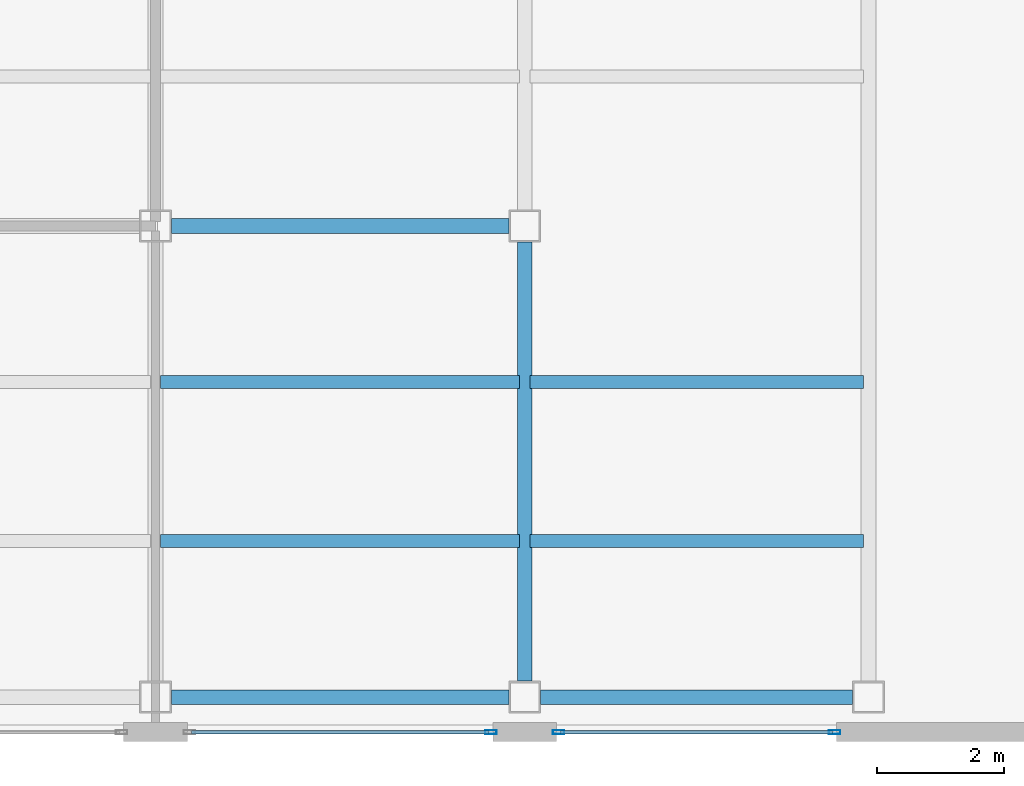
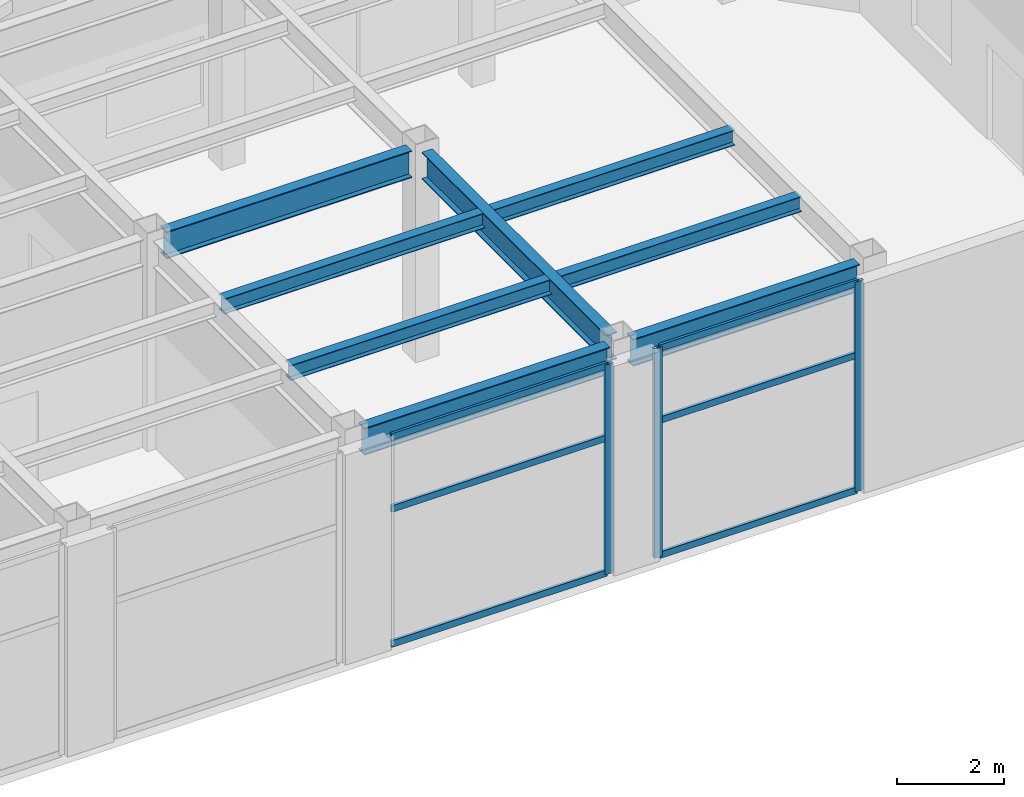
# One storey, part 8 of 23: 9 members, 8 beams, 2 elements without a shape of their own.
"""IFC4 building model written with IfcOpenShell, lengths in metres."""

from ifc_helpers import new_model, si_unit, direction, frame, origin, origin_2d, place, context, subcontext, project, spatial, hollow_rectangle, i_section, extrude, material, layer, layer_set, material_profile, profile_set, type_object, element, aggregate, save


model = new_model("IFC4")

# Units and contexts
model_context = context("Model", 3, precision=1e-05, world=origin(), true_north=direction((0.0, 1.0)))
body_context = subcontext(model_context, "Body", "Model", "MODEL_VIEW")
ifc_project = project(units=[si_unit("LENGTHUNIT", "METRE"), si_unit("AREAUNIT", "SQUARE_METRE"), si_unit("VOLUMEUNIT", "CUBIC_METRE"), si_unit("PLANEANGLEUNIT", "RADIAN"), si_unit("MASSUNIT", "GRAM", prefix="KILO")], contexts=[model_context])

# Site, building, storey
site_placement = place(None, origin())
site = spatial("IfcSite", under=ifc_project, at=site_placement, CompositionType="ELEMENT")
building_placement = place(site_placement, origin())
building = spatial("IfcBuilding", under=site, at=building_placement, Name="Mawjaban Terraces University", CompositionType="ELEMENT")
storey_placement = place(building_placement, frame((0.0, 0.0, 98.39990234375)))
storey = spatial("IfcBuildingStorey", under=building, at=storey_placement, Name="L23", CompositionType="ELEMENT", Elevation=98.39990234375)

# Beams
ifc_material_1 = material(Name="Steel ASTM A572 Grade 50", Category="steel")
ifc_material_profile_1 = material_profile(ifc_material_1, i_section(OverallWidth=0.22998046875, OverallDepth=0.616943359375, WebThickness=0.01318359375, FlangeThickness=0.022216796875, at=origin_2d()), Name="W610X140")
ifc_profile_set_1 = profile_set([ifc_material_profile_1], Name="Steel ASTM A572 Grade 50")
beam_type_1 = type_object("IfcBeamType", Name="Beam_B_W610X140", PredefinedType="BEAM", material=ifc_profile_set_1)
beam_1_placement = place(storey_placement, frame((52.25, 0.550048828125, 4.482177734375), z_axis=(1.0, 0.0, 0.0), x_axis=(0.0, 1.0, 0.0)))
element("IfcBeam", 1, at=beam_1_placement, inside=storey, type_object=beam_type_1, Name="L23 Beam BM-L23-EW-03", PredefinedType="BEAM", context=body_context, shape_type="SweptSolid", body=[
    extrude(i_section(OverallWidth=0.22998046875, OverallDepth=0.616943359375, WebThickness=0.01318359375, FlangeThickness=0.022216796875, at=origin_2d()), origin(), (0.0, 0.0, 1.0), 5.300048828125),
])
beam_2_placement = place(storey_placement, frame((58.050048828125, 0.550048828125, 4.482177734375), z_axis=(1.0, 0.0, 0.0), x_axis=(0.0, 1.0, 0.0)))
element("IfcBeam", 2, at=beam_2_placement, inside=storey, type_object=beam_type_1, Name="L23 Beam BM-L23-EW-04", PredefinedType="BEAM", context=body_context, shape_type="SweptSolid", body=[
    extrude(i_section(OverallWidth=0.22998046875, OverallDepth=0.616943359375, WebThickness=0.01318359375, FlangeThickness=0.022216796875, at=origin_2d()), origin(), (0.0, 0.0, 1.0), 4.89990234375),
])
beam_3_placement = place(storey_placement, frame((52.25, 7.949951171875, 4.482177734375), z_axis=(1.0, 0.0, 0.0), x_axis=(0.0, 1.0, 0.0)))
element("IfcBeam", 3, at=beam_3_placement, inside=storey, type_object=beam_type_1, Name="L23 Beam BM-L23-EW-07", PredefinedType="BEAM", context=body_context, shape_type="SweptSolid", body=[
    extrude(i_section(OverallWidth=0.22998046875, OverallDepth=0.616943359375, WebThickness=0.01318359375, FlangeThickness=0.022216796875, at=origin_2d()), origin(), (0.0, 0.0, 1.0), 5.300048828125),
])
beam_4_placement = place(storey_placement, frame((57.800048828125, 0.800048828125, 4.482177734375), z_axis=(0.0, 1.0, 0.0), x_axis=(-1.0, 0.0, 0.0)))
element("IfcBeam", 4, at=beam_4_placement, inside=storey, type_object=beam_type_1, Name="L23 Beam BM-L23-NS-16", PredefinedType="BEAM", context=body_context, shape_type="SweptSolid", body=[
    extrude(i_section(OverallWidth=0.22998046875, OverallDepth=0.616943359375, WebThickness=0.01318359375, FlangeThickness=0.022216796875, at=origin_2d()), origin(), (0.0, 0.0, 1.0), 6.89990234375),
])
ifc_material_profile_2 = material_profile(ifc_material_1, i_section(OverallWidth=0.202880859375, OverallDepth=0.346923828125, WebThickness=0.0078125, FlangeThickness=0.013427734375, at=origin_2d()), Name="W360X64")
ifc_profile_set_2 = profile_set([ifc_material_profile_2], Name="Steel ASTM A572 Grade 50")
beam_type_2 = type_object("IfcBeamType", Name="Beam_J_W360X64", PredefinedType="JOIST", material=ifc_profile_set_2)
beam_5_placement = place(storey_placement, frame((52.080078125, 3.0, 4.6162109375), z_axis=(1.0, 0.0, 0.0), x_axis=(0.0, 1.0, 0.0)))
element("IfcBeam", 5, at=beam_5_placement, inside=storey, type_object=beam_type_2, Name="L23 Composite Joist JST-L23-03", PredefinedType="JOIST", context=body_context, shape_type="SweptSolid", body=[
    extrude(i_section(OverallWidth=0.202880859375, OverallDepth=0.346923828125, WebThickness=0.0078125, FlangeThickness=0.013427734375, at=origin_2d()), origin(), (0.0, 0.0, 1.0), 5.639892578125),
])
beam_6_placement = place(storey_placement, frame((57.8798828125, 3.0, 4.6162109375), z_axis=(1.0, 0.0, 0.0), x_axis=(0.0, 1.0, 0.0)))
element("IfcBeam", 6, at=beam_6_placement, inside=storey, type_object=beam_type_2, Name="L23 Composite Joist JST-L23-04", PredefinedType="JOIST", context=body_context, shape_type="SweptSolid", body=[
    extrude(i_section(OverallWidth=0.202880859375, OverallDepth=0.346923828125, WebThickness=0.0078125, FlangeThickness=0.013427734375, at=origin_2d()), origin(), (0.0, 0.0, 1.0), 5.240234375),
])
beam_7_placement = place(storey_placement, frame((52.080078125, 5.5, 4.6162109375), z_axis=(1.0, 0.0, 0.0), x_axis=(0.0, 1.0, 0.0)))
element("IfcBeam", 7, at=beam_7_placement, inside=storey, type_object=beam_type_2, Name="L23 Composite Joist JST-L23-07", PredefinedType="JOIST", context=body_context, shape_type="SweptSolid", body=[
    extrude(i_section(OverallWidth=0.202880859375, OverallDepth=0.346923828125, WebThickness=0.0078125, FlangeThickness=0.013427734375, at=origin_2d()), origin(), (0.0, 0.0, 1.0), 5.639892578125),
])
beam_8_placement = place(storey_placement, frame((57.8798828125, 5.5, 4.6162109375), z_axis=(1.0, 0.0, 0.0), x_axis=(0.0, 1.0, 0.0)))
element("IfcBeam", 8, at=beam_8_placement, inside=storey, type_object=beam_type_2, Name="L23 Composite Joist JST-L23-08", PredefinedType="JOIST", context=body_context, shape_type="SweptSolid", body=[
    extrude(i_section(OverallWidth=0.202880859375, OverallDepth=0.346923828125, WebThickness=0.0078125, FlangeThickness=0.013427734375, at=origin_2d()), origin(), (0.0, 0.0, 1.0), 5.240234375),
])

# Curtain wall, member
ifc_material_2 = material(Name="Anodised aluminium 6063-T6 and solar-control low-E glass", Category="aluminium")
ifc_layer = layer(ifc_material_2, 0.18994140625)
ifc_layer_set = layer_set([ifc_layer], Name="Anodised aluminium 6063-T6 and solar-control low-E glass")
curtain_wall_type = type_object("IfcCurtainWallType", Name="CWSystem_05_SkyLobby", PredefinedType="NOTDEFINED", material=ifc_layer_set)
curtain_wall_1_placement = place(storey_placement, origin())
curtain_wall_1 = element("IfcCurtainWall", 9, at=curtain_wall_1_placement, inside=storey, type_object=curtain_wall_type, Name="L23 Curtain Wall CW-05 Run 1.4", PredefinedType="NOTDEFINED")
ifc_material_3 = material(Name="Anodised aluminium 6063-T6", Category="aluminium")
ifc_material_profile_3 = material_profile(ifc_material_3, hollow_rectangle(XDim=0.06494140625, YDim=0.179931640625, WallThickness=0.00390625, at=origin_2d()), Name="ALU180X65X4")
ifc_profile_set_3 = profile_set([ifc_material_profile_3], Name="Anodised aluminium 6063-T6")
member_type_1 = type_object("IfcMemberType", Name="Mullion_CW-05", PredefinedType="MULLION", material=ifc_profile_set_3)
member_1_placement = place(storey_placement, frame((57.267578125, 0.0, 0.0), z_axis=(0.0, 0.0, 1.0), x_axis=(0.0, 1.0, 0.0)))
member_1 = element("IfcMember", 10, at=member_1_placement, type_object=member_type_1, Name="CW-05 mullion 2", PredefinedType="MULLION", context=body_context, shape_type="SweptSolid", body=[
    extrude(hollow_rectangle(XDim=0.06494140625, YDim=0.179931640625, WallThickness=0.00390625, at=origin_2d()), origin(), (0.0, 0.0, 1.0), 4.7900390625),
])

# Curtain wall, members
curtain_wall_2_placement = place(storey_placement, origin())
curtain_wall_2 = element("IfcCurtainWall", 11, at=curtain_wall_2_placement, inside=storey, type_object=curtain_wall_type, Name="L23 Curtain Wall CW-05 Run 1.5", PredefinedType="NOTDEFINED")
member_2_placement = place(storey_placement, frame((58.33251953125, 0.0, 0.0), z_axis=(0.0, 0.0, 1.0), x_axis=(0.0, 1.0, 0.0)))
member_2 = element("IfcMember", 12, at=member_2_placement, type_object=member_type_1, Name="CW-05 mullion 1", PredefinedType="MULLION", context=body_context, shape_type="SweptSolid", body=[
    extrude(hollow_rectangle(XDim=0.06494140625, YDim=0.179931640625, WallThickness=0.00390625, at=origin_2d()), origin(), (0.0, 0.0, 1.0), 4.7900390625),
])
member_3_placement = place(storey_placement, frame((62.66748046875, 0.0, 0.0), z_axis=(0.0, 0.0, 1.0), x_axis=(0.0, 1.0, 0.0)))
member_3 = element("IfcMember", 13, at=member_3_placement, type_object=member_type_1, Name="CW-05 mullion 2", PredefinedType="MULLION", context=body_context, shape_type="SweptSolid", body=[
    extrude(hollow_rectangle(XDim=0.06494140625, YDim=0.179931640625, WallThickness=0.00390625, at=origin_2d()), origin(), (0.0, 0.0, 1.0), 4.7900390625),
])

# Member
ifc_material_profile_4 = material_profile(ifc_material_3, hollow_rectangle(XDim=0.06005859375, YDim=0.14990234375, WallThickness=0.00390625, at=origin_2d()), Name="ALU150X60X4")
ifc_profile_set_4 = profile_set([ifc_material_profile_4], Name="Anodised aluminium 6063-T6")
member_type_2 = type_object("IfcMemberType", Name="Transom_CW-05", PredefinedType="NOTDEFINED", material=ifc_profile_set_4)
member_4_placement = place(storey_placement, frame((52.56494140625, 0.0, 0.030029296875), z_axis=(1.0, 0.0, 0.0), x_axis=(0.0, 1.0, 0.0)))
member_4 = element("IfcMember", 14, at=member_4_placement, type_object=member_type_2, Name="CW-05 transom 1.1", ObjectType="TRANSOM", PredefinedType="USERDEFINED", context=body_context, shape_type="SweptSolid", body=[
    extrude(hollow_rectangle(XDim=0.06005859375, YDim=0.14990234375, WallThickness=0.00390625, at=origin_2d()), origin(), (0.0, 0.0, 1.0), 4.670166015625),
])

member_5_placement = place(storey_placement, frame((52.56494140625, 0.0, 3.113037109375), z_axis=(1.0, 0.0, 0.0), x_axis=(0.0, 1.0, 0.0)))
member_5 = element("IfcMember", 15, at=member_5_placement, type_object=member_type_2, Name="CW-05 transom 1.2", ObjectType="TRANSOM", PredefinedType="USERDEFINED", context=body_context, shape_type="SweptSolid", body=[
    extrude(hollow_rectangle(XDim=0.06005859375, YDim=0.14990234375, WallThickness=0.00390625, at=origin_2d()), origin(), (0.0, 0.0, 1.0), 4.670166015625),
])

member_6_placement = place(storey_placement, frame((52.56494140625, 0.0, 4.760009765625), z_axis=(1.0, 0.0, 0.0), x_axis=(0.0, 1.0, 0.0)))
member_6 = element("IfcMember", 16, at=member_6_placement, type_object=member_type_2, Name="CW-05 transom 1.3", ObjectType="TRANSOM", PredefinedType="USERDEFINED", context=body_context, shape_type="SweptSolid", body=[
    extrude(hollow_rectangle(XDim=0.06005859375, YDim=0.14990234375, WallThickness=0.00390625, at=origin_2d()), origin(), (0.0, 0.0, 1.0), 4.670166015625),
])

aggregate(curtain_wall_1, [member_1, member_4, member_5, member_6])

member_7_placement = place(storey_placement, frame((58.364990234375, 0.0, 0.030029296875), z_axis=(1.0, 0.0, 0.0), x_axis=(0.0, 1.0, 0.0)))
member_7 = element("IfcMember", 17, at=member_7_placement, type_object=member_type_2, Name="CW-05 transom 1.1", ObjectType="TRANSOM", PredefinedType="USERDEFINED", context=body_context, shape_type="SweptSolid", body=[
    extrude(hollow_rectangle(XDim=0.06005859375, YDim=0.14990234375, WallThickness=0.00390625, at=origin_2d()), origin(), (0.0, 0.0, 1.0), 4.27001953125),
])

member_8_placement = place(storey_placement, frame((58.364990234375, 0.0, 3.113037109375), z_axis=(1.0, 0.0, 0.0), x_axis=(0.0, 1.0, 0.0)))
member_8 = element("IfcMember", 18, at=member_8_placement, type_object=member_type_2, Name="CW-05 transom 1.2", ObjectType="TRANSOM", PredefinedType="USERDEFINED", context=body_context, shape_type="SweptSolid", body=[
    extrude(hollow_rectangle(XDim=0.06005859375, YDim=0.14990234375, WallThickness=0.00390625, at=origin_2d()), origin(), (0.0, 0.0, 1.0), 4.27001953125),
])

member_9_placement = place(storey_placement, frame((58.364990234375, 0.0, 4.760009765625), z_axis=(1.0, 0.0, 0.0), x_axis=(0.0, 1.0, 0.0)))
member_9 = element("IfcMember", 19, at=member_9_placement, type_object=member_type_2, Name="CW-05 transom 1.3", ObjectType="TRANSOM", PredefinedType="USERDEFINED", context=body_context, shape_type="SweptSolid", body=[
    extrude(hollow_rectangle(XDim=0.06005859375, YDim=0.14990234375, WallThickness=0.00390625, at=origin_2d()), origin(), (0.0, 0.0, 1.0), 4.27001953125),
])

aggregate(curtain_wall_2, [member_2, member_3, member_7, member_8, member_9])

save(model, "model.ifc")
